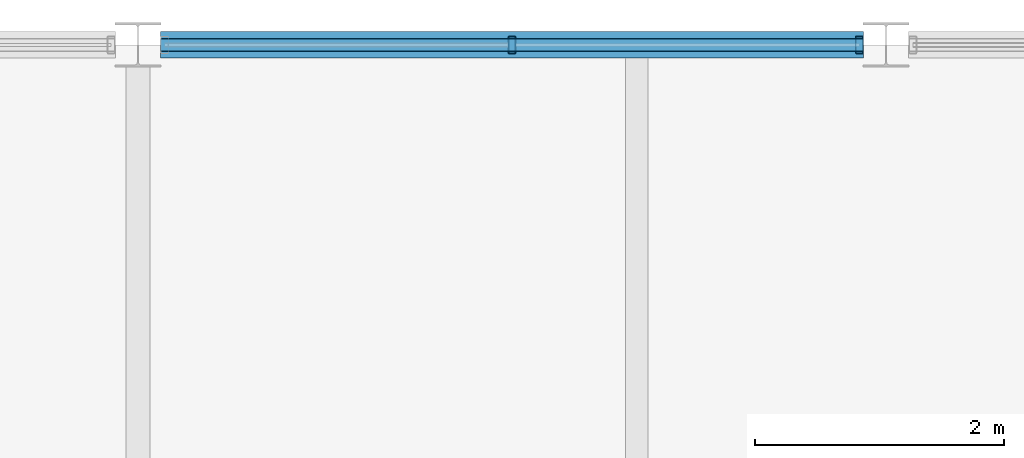
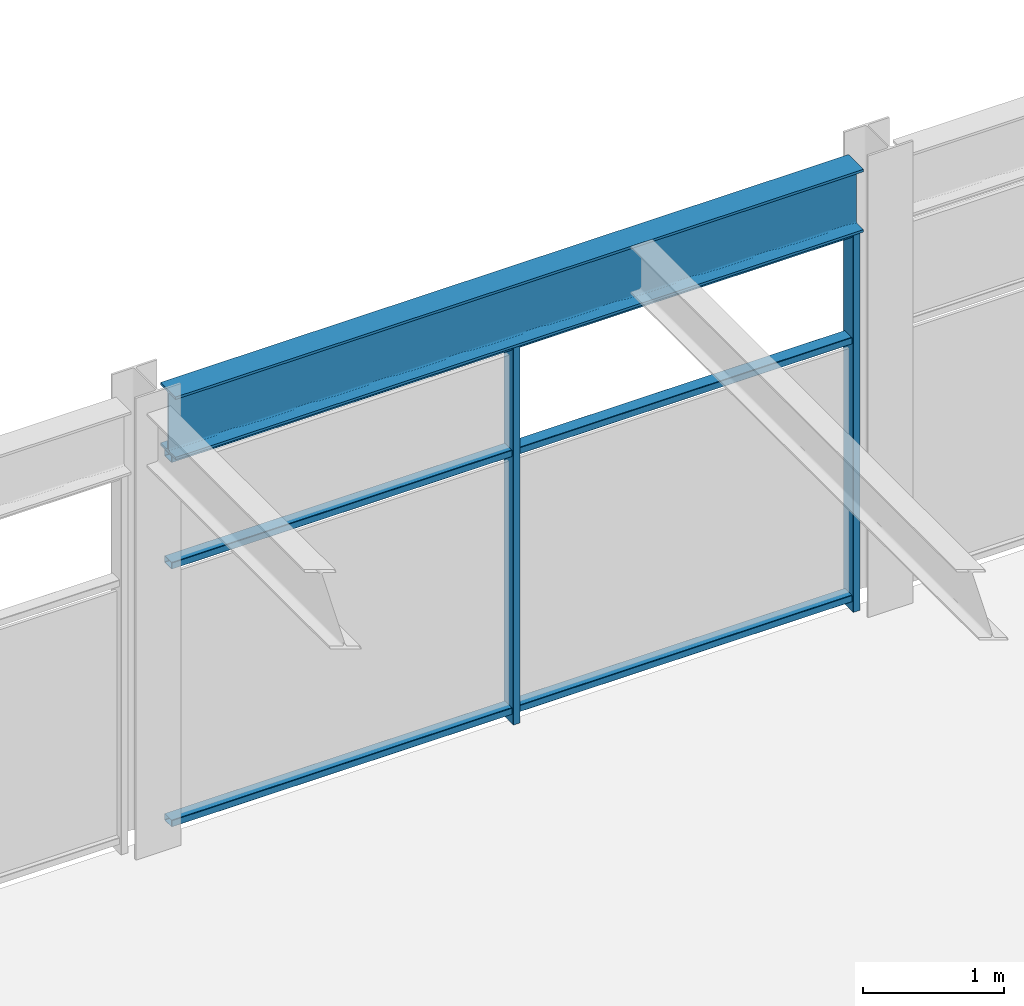
# One storey, part 19 of 32: 5 members, 1 beam, 1 element without a shape of its own.
"""IFC4 building model written with IfcOpenShell, lengths in metres."""

from ifc_helpers import new_model, si_unit, direction, frame, origin, origin_2d, place, context, subcontext, project, spatial, hollow_rectangle, i_section, extrude, material, material_profile, profile_set, type_object, element, aggregate, save


model = new_model("IFC4")

# Units and contexts
model_context = context("Model", 3, precision=1e-05, world=origin(), true_north=direction((0.0, 1.0)))
body_context = subcontext(model_context, "Body", "Model", "MODEL_VIEW")
ifc_project = project(units=[si_unit("LENGTHUNIT", "METRE"), si_unit("AREAUNIT", "SQUARE_METRE"), si_unit("VOLUMEUNIT", "CUBIC_METRE"), si_unit("PLANEANGLEUNIT", "RADIAN"), si_unit("MASSUNIT", "GRAM", prefix="KILO")], contexts=[model_context])

# Site, building, storey
site_placement = place(None, origin())
site = spatial("IfcSite", under=ifc_project, at=site_placement, CompositionType="ELEMENT")
building_placement = place(site_placement, origin())
building = spatial("IfcBuilding", under=site, at=building_placement, Name="Girod Span Mobility Hub", CompositionType="ELEMENT")
storey_placement = place(building_placement, frame((0.0, 0.0, 61.60009765625)))
storey = spatial("IfcBuildingStorey", under=building, at=storey_placement, Name="L15", CompositionType="ELEMENT", Elevation=61.60009765625)

# Beam
ifc_material_1 = material(Name="Steel A992 Grade 50", Category="steel")
ifc_material_profile_1 = material_profile(ifc_material_1, i_section(OverallWidth=0.2119140625, OverallDepth=0.5439453125, WebThickness=0.01318359375, FlangeThickness=0.021240234375, FilletRadius=0.014892578125, at=origin_2d()), Name="W21X83")
ifc_profile_set_1 = profile_set([ifc_material_profile_1], Name="Steel A992 Grade 50")
beam_type = type_object("IfcBeamType", Name="BM-STL-W21X83", PredefinedType="SPANDREL", material=ifc_profile_set_1)
beam_placement = place(storey_placement, frame((84.181396484375, 69.0, 3.56787109375), z_axis=(1.0, 0.0, 0.0), x_axis=(0.0, 1.0, 0.0)))
element("IfcBeam", 1, at=beam_placement, inside=storey, type_object=beam_type, Name="Spandrel Beam 8-9/F-W L15", PredefinedType="SPANDREL", context=body_context, shape_type="SweptSolid", body=[
    extrude(i_section(OverallWidth=0.2119140625, OverallDepth=0.5439453125, WebThickness=0.01318359375, FlangeThickness=0.021240234375, FilletRadius=0.014892578125, at=origin_2d()), origin(), (0.0, 0.0, 1.0), 5.63720703125),
])

# Curtain wall, members
ifc_material_2 = material(Name="Thermally Broken Anodised Aluminium", Category="aluminium")
curtain_wall_type = type_object("IfcCurtainWallType", Name="CW-564X330", PredefinedType="USERDEFINED", material=ifc_material_2)
curtain_wall_placement = place(storey_placement, origin())
curtain_wall = element("IfcCurtainWall", 2, at=curtain_wall_placement, inside=storey, type_object=curtain_wall_type, Name="Unitised Curtain Wall CW-L15-N08W L15", ObjectType="UNITISED CURTAIN WALL", PredefinedType="USERDEFINED")
ifc_material_3 = material(Name="Thermally Broken Anodised Aluminium", Category="aluminium")
ifc_material_profile_2 = material_profile(ifc_material_3, hollow_rectangle(XDim=0.139892578125, YDim=0.06005859375, WallThickness=0.00341796875, InnerFilletRadius=0.00341796875, OuterFilletRadius=0.007080078125, at=origin_2d()), Name="CW-ML-60X140")
ifc_profile_set_2 = profile_set([ifc_material_profile_2], Name="Thermally Broken Anodised Aluminium")
member_type_1 = type_object("IfcMemberType", Name="CWM-ML-4", PredefinedType="MULLION", material=ifc_profile_set_2)
member_1_placement = place(storey_placement, frame((87.0, 69.0, 0.0), z_axis=(0.0, 0.0, 1.0), x_axis=(0.0, 1.0, 0.0)))
member_1 = element("IfcMember", 3, at=member_1_placement, type_object=member_type_1, Name="Curtain Wall Mullion CW-L15-N08W-M1", PredefinedType="MULLION", context=body_context, shape_type="SweptSolid", body=[
    extrude(hollow_rectangle(XDim=0.139892578125, YDim=0.06005859375, WallThickness=0.00341796875, InnerFilletRadius=0.00341796875, OuterFilletRadius=0.007080078125, at=origin_2d()), origin(), (0.0, 0.0, 1.0), 3.2958984375),
])
member_2_placement = place(storey_placement, frame((89.785400390625, 69.0, 0.0), z_axis=(0.0, 0.0, 1.0), x_axis=(0.0, 1.0, 0.0)))
member_2 = element("IfcMember", 4, at=member_2_placement, type_object=member_type_1, Name="Curtain Wall Mullion CW-L15-N08W-M2", PredefinedType="MULLION", context=body_context, shape_type="SweptSolid", body=[
    extrude(hollow_rectangle(XDim=0.139892578125, YDim=0.06005859375, WallThickness=0.00341796875, InnerFilletRadius=0.00341796875, OuterFilletRadius=0.007080078125, at=origin_2d()), origin(), (0.0, 0.0, 1.0), 3.2958984375),
])
ifc_material_4 = material(Name="Thermally Broken Anodised Aluminium", Category="aluminium")
ifc_material_profile_3 = material_profile(ifc_material_4, hollow_rectangle(XDim=0.10498046875, YDim=0.06005859375, WallThickness=0.00341796875, InnerFilletRadius=0.00341796875, OuterFilletRadius=0.007080078125, at=origin_2d()), Name="CW-TR-60X105")
ifc_profile_set_3 = profile_set([ifc_material_profile_3], Name="Thermally Broken Anodised Aluminium")
member_type_2 = type_object("IfcMemberType", Name="CWM-TR-4", PredefinedType="USERDEFINED", material=ifc_profile_set_3)
member_3_placement = place(storey_placement, frame((84.1826171875, 69.0, 0.10986328125), z_axis=(1.0, 0.0, 0.0), x_axis=(0.0, 1.0, 0.0)))
member_3 = element("IfcMember", 5, at=member_3_placement, type_object=member_type_2, Name="Curtain Wall Transom CW-L15-N08W-T1", ObjectType="TRANSOM", PredefinedType="USERDEFINED", context=body_context, shape_type="SweptSolid", body=[
    extrude(hollow_rectangle(XDim=0.10498046875, YDim=0.06005859375, WallThickness=0.00341796875, InnerFilletRadius=0.00341796875, OuterFilletRadius=0.007080078125, at=origin_2d()), origin(), (0.0, 0.0, 1.0), 5.634765625),
])
member_4_placement = place(storey_placement, frame((84.1826171875, 69.0, 2.343017578125), z_axis=(1.0, 0.0, 0.0), x_axis=(0.0, 1.0, 0.0)))
member_4 = element("IfcMember", 6, at=member_4_placement, type_object=member_type_2, Name="Curtain Wall Transom CW-L15-N08W-T2", ObjectType="TRANSOM", PredefinedType="USERDEFINED", context=body_context, shape_type="SweptSolid", body=[
    extrude(hollow_rectangle(XDim=0.10498046875, YDim=0.06005859375, WallThickness=0.00341796875, InnerFilletRadius=0.00341796875, OuterFilletRadius=0.007080078125, at=origin_2d()), origin(), (0.0, 0.0, 1.0), 5.634765625),
])
member_5_placement = place(storey_placement, frame((84.1826171875, 69.0, 3.265869140625), z_axis=(1.0, 0.0, 0.0), x_axis=(0.0, 1.0, 0.0)))
member_5 = element("IfcMember", 7, at=member_5_placement, type_object=member_type_2, Name="Curtain Wall Transom CW-L15-N08W-T3", ObjectType="TRANSOM", PredefinedType="USERDEFINED", context=body_context, shape_type="SweptSolid", body=[
    extrude(hollow_rectangle(XDim=0.10498046875, YDim=0.06005859375, WallThickness=0.00341796875, InnerFilletRadius=0.00341796875, OuterFilletRadius=0.007080078125, at=origin_2d()), origin(), (0.0, 0.0, 1.0), 5.634765625),
])
aggregate(curtain_wall, [member_1, member_2, member_3, member_4, member_5])

save(model, "model.ifc")
